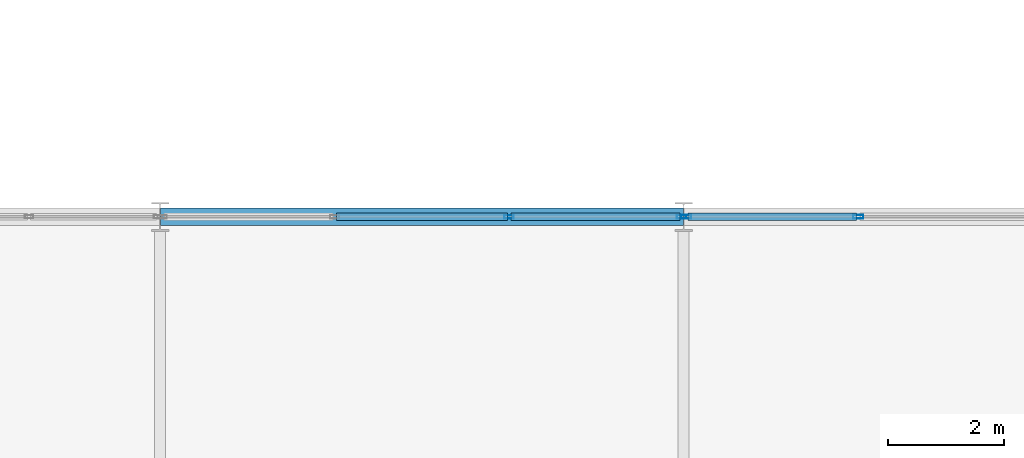
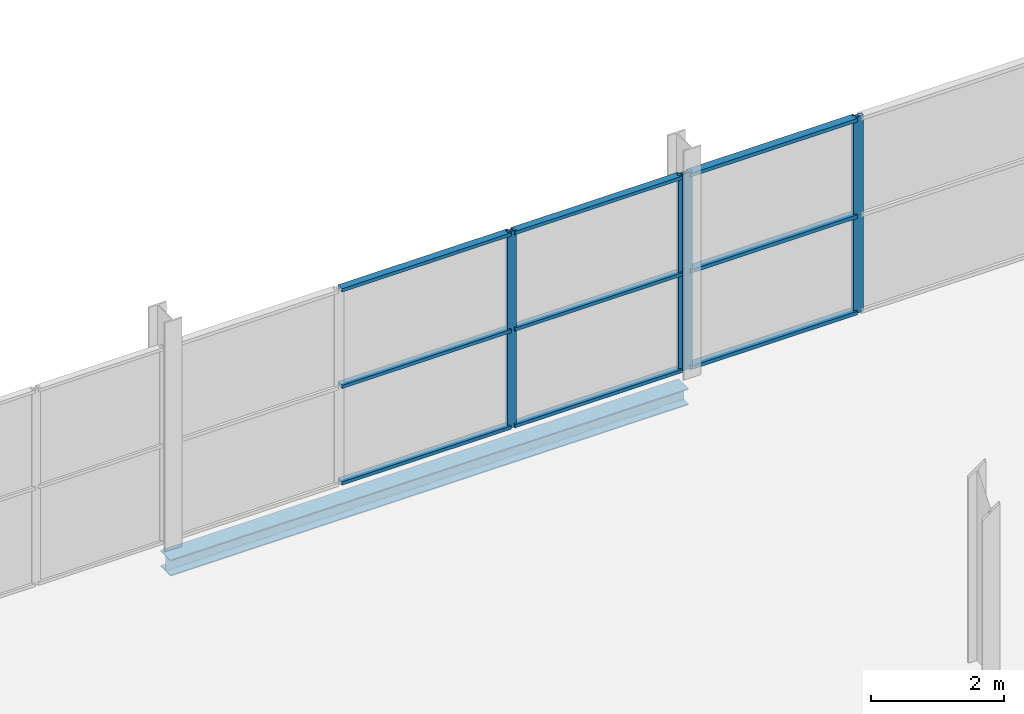
# One storey, part 72 of 140: 13 members, 1 beam, 2 elements without a shape of their own.
"""IFC4 building model written with IfcOpenShell, lengths in metres."""

from ifc_helpers import new_model, si_unit, direction, frame, origin, origin_2d, place, context, subcontext, project, spatial, hollow_rectangle, i_section, extrude, material, layer, layer_set, material_profile, profile_set, type_object, element, aggregate, save


model = new_model("IFC4")

# Units and contexts
model_context = context("Model", 3, precision=1e-05, world=origin(), true_north=direction((0.0, 1.0)))
body_context = subcontext(model_context, "Body", "Model", "MODEL_VIEW")
ifc_project = project(units=[si_unit("LENGTHUNIT", "METRE"), si_unit("AREAUNIT", "SQUARE_METRE"), si_unit("VOLUMEUNIT", "CUBIC_METRE"), si_unit("PLANEANGLEUNIT", "RADIAN"), si_unit("MASSUNIT", "GRAM", prefix="KILO")], contexts=[model_context])

# Site, building, storey
site_placement = place(None, origin())
site = spatial("IfcSite", under=ifc_project, at=site_placement, CompositionType="ELEMENT")
building_placement = place(site_placement, origin())
building = spatial("IfcBuilding", under=site, at=building_placement, Name="Deido Ridge Mobility Hub", CompositionType="ELEMENT")
storey_placement = place(building_placement, origin())
storey = spatial("IfcBuildingStorey", under=building, at=storey_placement, Name="L00", CompositionType="ELEMENT", Elevation=0.0)

# Curtain wall, members
ifc_material_1 = material(Name="Anodised aluminium EN AW-6063 T6", Category="aluminium")
ifc_layer_1 = layer(ifc_material_1, 0.14404296875, Name="Anodised aluminium EN AW-6063 T6")
ifc_layer_set_1 = layer_set([ifc_layer_1], Name="Anodised aluminium EN AW-6063 T6")
curtain_wall_type_1 = type_object("IfcCurtainWallType", Name="CW-GS-2", PredefinedType="USERDEFINED", material=ifc_layer_set_1)
curtain_wall_1_placement = place(storey_placement, origin())
curtain_wall_1 = element("IfcCurtainWall", 1, at=curtain_wall_1_placement, inside=storey, type_object=curtain_wall_type_1, Name="Unitised curtain wall GS2", ObjectType="GLAZED SCREEN", PredefinedType="USERDEFINED")
ifc_material_profile_1 = material_profile(ifc_material_1, hollow_rectangle(XDim=0.06005859375, YDim=0.159912109375, WallThickness=0.00390625, at=origin_2d()), Name="RHS 60x160x4")
ifc_profile_set_1 = profile_set([ifc_material_profile_1], Name="Anodised aluminium EN AW-6063 T6")
member_type_1 = type_object("IfcMemberType", Name="MEM-MUL-60X160", PredefinedType="MULLION", material=ifc_profile_set_1)
member_1_placement = place(storey_placement, frame((14.99755859375, 81.0, 0.0), z_axis=(0.0, 0.0, 1.0), x_axis=(0.0, 1.0, 0.0)))
member_1 = element("IfcMember", 2, at=member_1_placement, type_object=member_type_1, Name="GS2 mullion 3", PredefinedType="MULLION", context=body_context, shape_type="SweptSolid", body=[
    extrude(hollow_rectangle(XDim=0.06005859375, YDim=0.159912109375, WallThickness=0.00390625, at=origin_2d()), origin(), (0.0, 0.0, 1.0), 3.60009765625),
])
member_2_placement = place(storey_placement, frame((17.962890625, 81.0, 0.0), z_axis=(0.0, 0.0, 1.0), x_axis=(0.0, 1.0, 0.0)))
member_2 = element("IfcMember", 3, at=member_2_placement, type_object=member_type_1, Name="GS2 mullion 4", PredefinedType="MULLION", context=body_context, shape_type="SweptSolid", body=[
    extrude(hollow_rectangle(XDim=0.06005859375, YDim=0.159912109375, WallThickness=0.00390625, at=origin_2d()), origin(), (0.0, 0.0, 1.0), 3.60009765625),
])

ifc_layer_2 = layer(ifc_material_1, 0.156005859375, Name="Anodised aluminium EN AW-6063 T6")
ifc_layer_set_2 = layer_set([ifc_layer_2], Name="Anodised aluminium EN AW-6063 T6")
curtain_wall_type_2 = type_object("IfcCurtainWallType", Name="CW-GS-3", PredefinedType="USERDEFINED", material=ifc_layer_set_2)
curtain_wall_2_placement = place(storey_placement, origin())
curtain_wall_2 = element("IfcCurtainWall", 4, at=curtain_wall_2_placement, inside=storey, type_object=curtain_wall_type_2, Name="Unitised curtain wall GS3", ObjectType="GLAZED SCREEN", PredefinedType="USERDEFINED")
ifc_material_profile_2 = material_profile(ifc_material_1, hollow_rectangle(XDim=0.06494140625, YDim=0.175048828125, WallThickness=0.00390625, at=origin_2d()), Name="RHS 65x175x4")
ifc_profile_set_2 = profile_set([ifc_material_profile_2], Name="Anodised aluminium EN AW-6063 T6")
member_type_2 = type_object("IfcMemberType", Name="MEM-MUL-65X175", PredefinedType="MULLION", material=ifc_profile_set_2)
member_3_placement = place(storey_placement, frame((18.039794921875, 81.0, 0.0), z_axis=(0.0, 0.0, 1.0), x_axis=(0.0, 1.0, 0.0)))
member_3 = element("IfcMember", 5, at=member_3_placement, type_object=member_type_2, Name="GS3 mullion 1", PredefinedType="MULLION", context=body_context, shape_type="SweptSolid", body=[
    extrude(hollow_rectangle(XDim=0.06494140625, YDim=0.175048828125, WallThickness=0.00390625, at=origin_2d()), origin(), (0.0, 0.0, 1.0), 3.60009765625),
])
member_4_placement = place(storey_placement, frame((21.00244140625, 81.0, 0.0), z_axis=(0.0, 0.0, 1.0), x_axis=(0.0, 1.0, 0.0)))
member_4 = element("IfcMember", 6, at=member_4_placement, type_object=member_type_2, Name="GS3 mullion 2", PredefinedType="MULLION", context=body_context, shape_type="SweptSolid", body=[
    extrude(hollow_rectangle(XDim=0.06494140625, YDim=0.175048828125, WallThickness=0.00390625, at=origin_2d()), origin(), (0.0, 0.0, 1.0), 3.60009765625),
])

# Member
ifc_material_profile_3 = material_profile(ifc_material_1, hollow_rectangle(XDim=0.125, YDim=0.06005859375, WallThickness=0.00390625, at=origin_2d()), Name="RHS 125x60x4")
ifc_profile_set_3 = profile_set([ifc_material_profile_3], Name="Anodised aluminium EN AW-6063 T6")
member_type_3 = type_object("IfcMemberType", Name="MEM-TRN-125X60", PredefinedType="USERDEFINED", material=ifc_profile_set_3)
member_5_placement = place(storey_placement, frame((12.032470703125, 81.0, 0.030029296875), z_axis=(1.0, 0.0, 0.0), x_axis=(0.0, 1.0, 0.0)))
member_5 = element("IfcMember", 7, at=member_5_placement, type_object=member_type_3, Name="GS2 transom 2.1", ObjectType="TRANSOM", PredefinedType="USERDEFINED", context=body_context, shape_type="SweptSolid", body=[
    extrude(hollow_rectangle(XDim=0.125, YDim=0.06005859375, WallThickness=0.00390625, at=origin_2d()), origin(), (0.0, 0.0, 1.0), 2.93505859375),
])

member_6_placement = place(storey_placement, frame((12.032470703125, 81.0, 1.800048828125), z_axis=(1.0, 0.0, 0.0), x_axis=(0.0, 1.0, 0.0)))
member_6 = element("IfcMember", 8, at=member_6_placement, type_object=member_type_3, Name="GS2 transom 2.2", ObjectType="TRANSOM", PredefinedType="USERDEFINED", context=body_context, shape_type="SweptSolid", body=[
    extrude(hollow_rectangle(XDim=0.125, YDim=0.06005859375, WallThickness=0.00390625, at=origin_2d()), origin(), (0.0, 0.0, 1.0), 2.93505859375),
])

member_7_placement = place(storey_placement, frame((12.032470703125, 81.0, 3.570068359375), z_axis=(1.0, 0.0, 0.0), x_axis=(0.0, 1.0, 0.0)))
member_7 = element("IfcMember", 9, at=member_7_placement, type_object=member_type_3, Name="GS2 transom 2.3", ObjectType="TRANSOM", PredefinedType="USERDEFINED", context=body_context, shape_type="SweptSolid", body=[
    extrude(hollow_rectangle(XDim=0.125, YDim=0.06005859375, WallThickness=0.00390625, at=origin_2d()), origin(), (0.0, 0.0, 1.0), 2.93505859375),
])

member_8_placement = place(storey_placement, frame((15.027587890625, 81.0, 0.030029296875), z_axis=(1.0, 0.0, 0.0), x_axis=(0.0, 1.0, 0.0)))
member_8 = element("IfcMember", 10, at=member_8_placement, type_object=member_type_3, Name="GS2 transom 3.1", ObjectType="TRANSOM", PredefinedType="USERDEFINED", context=body_context, shape_type="SweptSolid", body=[
    extrude(hollow_rectangle(XDim=0.125, YDim=0.06005859375, WallThickness=0.00390625, at=origin_2d()), origin(), (0.0, 0.0, 1.0), 2.9052734375),
])

member_9_placement = place(storey_placement, frame((15.027587890625, 81.0, 1.800048828125), z_axis=(1.0, 0.0, 0.0), x_axis=(0.0, 1.0, 0.0)))
member_9 = element("IfcMember", 11, at=member_9_placement, type_object=member_type_3, Name="GS2 transom 3.2", ObjectType="TRANSOM", PredefinedType="USERDEFINED", context=body_context, shape_type="SweptSolid", body=[
    extrude(hollow_rectangle(XDim=0.125, YDim=0.06005859375, WallThickness=0.00390625, at=origin_2d()), origin(), (0.0, 0.0, 1.0), 2.9052734375),
])

member_10_placement = place(storey_placement, frame((15.027587890625, 81.0, 3.570068359375), z_axis=(1.0, 0.0, 0.0), x_axis=(0.0, 1.0, 0.0)))
member_10 = element("IfcMember", 12, at=member_10_placement, type_object=member_type_3, Name="GS2 transom 3.3", ObjectType="TRANSOM", PredefinedType="USERDEFINED", context=body_context, shape_type="SweptSolid", body=[
    extrude(hollow_rectangle(XDim=0.125, YDim=0.06005859375, WallThickness=0.00390625, at=origin_2d()), origin(), (0.0, 0.0, 1.0), 2.9052734375),
])

aggregate(curtain_wall_1, [member_1, member_2, member_5, member_6, member_7, member_8, member_9, member_10])

ifc_material_profile_4 = material_profile(ifc_material_1, hollow_rectangle(XDim=0.135009765625, YDim=0.06494140625, WallThickness=0.00390625, at=origin_2d()), Name="RHS 135x65x4")
ifc_profile_set_4 = profile_set([ifc_material_profile_4], Name="Anodised aluminium EN AW-6063 T6")
member_type_4 = type_object("IfcMemberType", Name="MEM-TRN-135X65", PredefinedType="USERDEFINED", material=ifc_profile_set_4)
member_11_placement = place(storey_placement, frame((18.072265625, 81.0, 0.032470703125), z_axis=(1.0, 0.0, 0.0), x_axis=(0.0, 1.0, 0.0)))
member_11 = element("IfcMember", 13, at=member_11_placement, type_object=member_type_4, Name="GS3 transom 1.1", ObjectType="TRANSOM", PredefinedType="USERDEFINED", context=body_context, shape_type="SweptSolid", body=[
    extrude(hollow_rectangle(XDim=0.135009765625, YDim=0.06494140625, WallThickness=0.00390625, at=origin_2d()), origin(), (0.0, 0.0, 1.0), 2.897705078125),
])

member_12_placement = place(storey_placement, frame((18.072265625, 81.0, 1.800048828125), z_axis=(1.0, 0.0, 0.0), x_axis=(0.0, 1.0, 0.0)))
member_12 = element("IfcMember", 14, at=member_12_placement, type_object=member_type_4, Name="GS3 transom 1.2", ObjectType="TRANSOM", PredefinedType="USERDEFINED", context=body_context, shape_type="SweptSolid", body=[
    extrude(hollow_rectangle(XDim=0.135009765625, YDim=0.06494140625, WallThickness=0.00390625, at=origin_2d()), origin(), (0.0, 0.0, 1.0), 2.897705078125),
])

member_13_placement = place(storey_placement, frame((18.072265625, 81.0, 3.5673828125), z_axis=(1.0, 0.0, 0.0), x_axis=(0.0, 1.0, 0.0)))
member_13 = element("IfcMember", 15, at=member_13_placement, type_object=member_type_4, Name="GS3 transom 1.3", ObjectType="TRANSOM", PredefinedType="USERDEFINED", context=body_context, shape_type="SweptSolid", body=[
    extrude(hollow_rectangle(XDim=0.135009765625, YDim=0.06494140625, WallThickness=0.00390625, at=origin_2d()), origin(), (0.0, 0.0, 1.0), 2.897705078125),
])

aggregate(curtain_wall_2, [member_3, member_4, member_11, member_12, member_13])

# Beam
ifc_material_2 = material(Name="Steel S355J2 EN 10025-2", Category="steel")
ifc_material_profile_5 = material_profile(ifc_material_2, i_section(OverallWidth=0.300048828125, OverallDepth=0.300048828125, WebThickness=0.010986328125, FlangeThickness=0.01904296875, FilletRadius=0.027099609375, at=origin_2d()), Name="HEB 300")
ifc_profile_set_5 = profile_set([ifc_material_profile_5], Name="Steel S355J2 EN 10025-2")
beam_type = type_object("IfcBeamType", Name="SPD-HEB300", PredefinedType="SPANDREL", material=ifc_profile_set_5)
beam_placement = place(storey_placement, frame((9.00732421875, 81.0, -0.409912109375), z_axis=(1.0, 0.0, 0.0), x_axis=(0.0, 1.0, 0.0)))
element("IfcBeam", 16, at=beam_placement, inside=storey, type_object=beam_type, Name="Floor beam SP1", PredefinedType="SPANDREL", context=body_context, shape_type="SweptSolid", body=[
    extrude(i_section(OverallWidth=0.300048828125, OverallDepth=0.300048828125, WebThickness=0.010986328125, FlangeThickness=0.01904296875, FilletRadius=0.027099609375, at=origin_2d()), origin(), (0.0, 0.0, 1.0), 8.985595703125),
])

save(model, "model.ifc")
